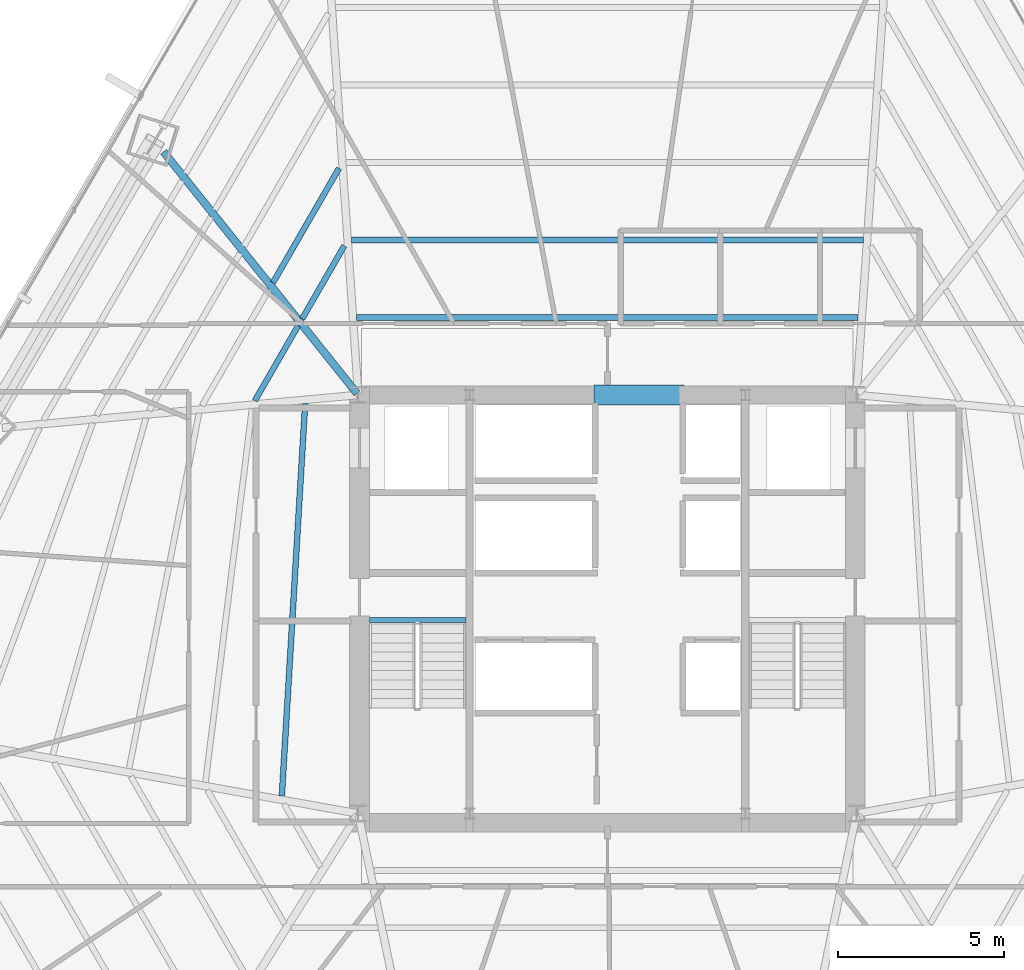
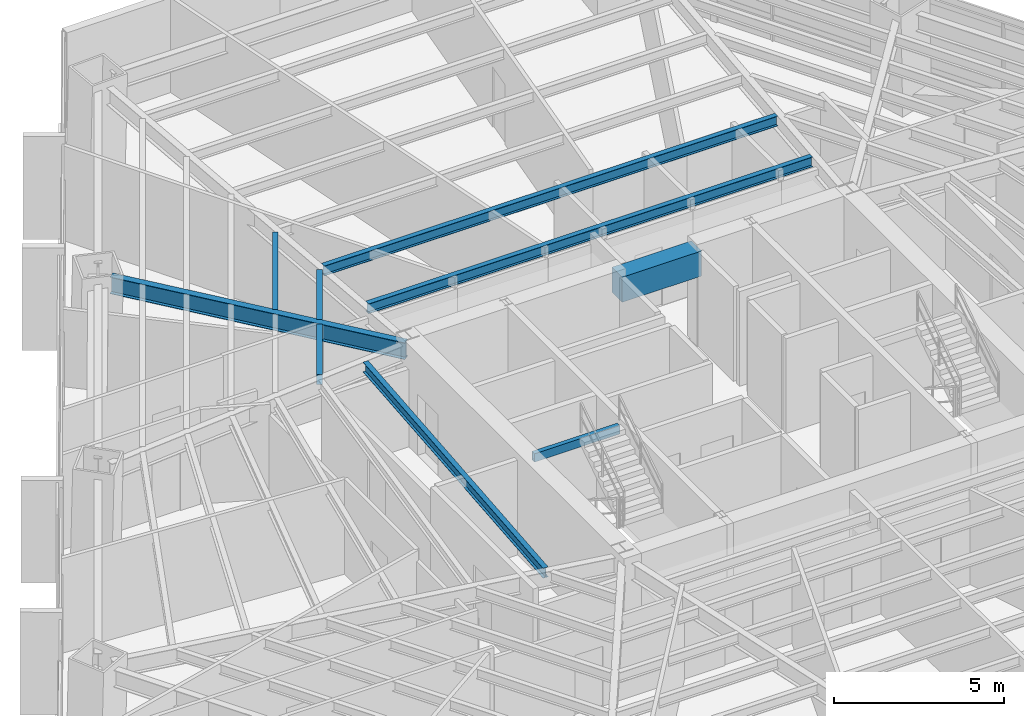
# One storey, part 14 of 35: 9 beams.
"""IFC4 building model written with IfcOpenShell, lengths in metres."""

from ifc_helpers import new_model, si_unit, direction, frame, origin, origin_2d, place, context, subcontext, project, spatial, rectangle, hollow_rectangle, i_section, extrude, source, transform, mapped, material, material_profile, profile_set, type_object, type_shapes, element, save


model = new_model("IFC4")

# Units and contexts
model_context = context("Model", 3, precision=1e-05, world=origin(), true_north=direction((0.0, 1.0)))
body_context = subcontext(model_context, "Body", "Model", "MODEL_VIEW")
ifc_project = project(units=[si_unit("LENGTHUNIT", "METRE"), si_unit("AREAUNIT", "SQUARE_METRE"), si_unit("VOLUMEUNIT", "CUBIC_METRE"), si_unit("PLANEANGLEUNIT", "RADIAN"), si_unit("MASSUNIT", "GRAM", prefix="KILO")], contexts=[model_context])

# Site, building, storey
site_placement = place(None, origin())
site = spatial("IfcSite", under=ifc_project, at=site_placement, CompositionType="ELEMENT")
building_placement = place(site_placement, origin())
building = spatial("IfcBuilding", under=site, at=building_placement, Name="Caelisora Broadcast Tower", CompositionType="ELEMENT")
storey_placement = place(building_placement, frame((0.0, 0.0, 53.14990234375)))
storey = spatial("IfcBuildingStorey", under=building, at=storey_placement, Name="L13", CompositionType="ELEMENT", Elevation=53.14990234375)

# Beams
ifc_material_1 = material(Name="Steel Grade 350 (AS/NZS 1163 C350L0)", Category="steel")
ifc_material_profile_1 = material_profile(ifc_material_1, hollow_rectangle(XDim=0.14990234375, YDim=0.300048828125, WallThickness=0.010009765625, at=origin_2d()), Name="Steel Grade 350 (AS/NZS 1163 C350L0)")
ifc_profile_set_1 = profile_set([ifc_material_profile_1], Name="Steel Grade 350 (AS/NZS 1163 C350L0)")
beam_type_1 = type_object("IfcBeamType", Name="SB05", PredefinedType="JOIST", material=ifc_profile_set_1)
shared_shape_1 = source(origin(), body_context, "Body", "SweptSolid", [
    extrude(hollow_rectangle(XDim=0.14990234375, YDim=0.300048828125, WallThickness=0.010009765625, at=origin_2d()), origin(), (0.0, 0.0, 1.0), 2.89990234375),
])
type_shapes(beam_type_1, [shared_shape_1])
beam_1_placement = place(storey_placement, frame((30.840087890625, 23.219970703125, 3.25), z_axis=(1.0, 0.0, 0.0), x_axis=(0.0, 1.0, 0.0)))
element("IfcBeam", 1, at=beam_1_placement, inside=storey, type_object=beam_type_1, Name="L13 beam SB05", PredefinedType="JOIST", context=body_context, shape_type="MappedRepresentation", body=[
    mapped(shared_shape_1, transform((0.0, 0.0, 0.0), scale=1.0)),
])
ifc_material_2 = material(Name="Concrete 50 MPa (AS 3600 S50)", Category="concrete")
ifc_material_profile_2 = material_profile(ifc_material_2, rectangle(XDim=0.60009765625, YDim=0.89990234375, at=origin_2d()), Name="Concrete 50 MPa (AS 3600 S50)")
ifc_profile_set_2 = profile_set([ifc_material_profile_2], Name="Concrete 50 MPa (AS 3600 S50)")
beam_type_2 = type_object("IfcBeamType", Name="CB02", PredefinedType="LINTEL", material=ifc_profile_set_2)
shared_shape_2 = source(origin(), body_context, "Body", "SweptSolid", [
    extrude(rectangle(XDim=0.60009765625, YDim=0.89990234375, at=origin_2d()), origin(), (0.0, 0.0, 1.0), 2.699951171875),
])
type_shapes(beam_type_2, [shared_shape_2])
beam_2_placement = place(storey_placement, frame((37.60009765625, 30.0, 2.9501953125), z_axis=(1.0, 0.0, 0.0), x_axis=(0.0, 1.0, 0.0)))
element("IfcBeam", 2, at=beam_2_placement, inside=storey, type_object=beam_type_2, Name="L13 beam CB02", PredefinedType="LINTEL", context=body_context, shape_type="MappedRepresentation", body=[
    mapped(shared_shape_2, transform((0.0, 0.0, 0.0), scale=1.0)),
])
ifc_material_3 = material(Name="Steel Grade 350 (AS/NZS 3679.1)", Category="steel")
ifc_material_profile_3 = material_profile(ifc_material_3, i_section(OverallWidth=0.22802734375, OverallDepth=0.602294921875, WebThickness=0.010498046875, FlangeThickness=0.014892578125, at=origin_2d()), Name="Steel Grade 350 (AS/NZS 3679.1)")
ifc_profile_set_3 = profile_set([ifc_material_profile_3], Name="Steel Grade 350 (AS/NZS 3679.1)")
beam_type_3 = type_object("IfcBeamType", Name="PG04", PredefinedType="BEAM", material=ifc_profile_set_3)
shared_shape_3 = source(origin(), body_context, "Body", "SweptSolid", [
    extrude(i_section(OverallWidth=0.22802734375, OverallDepth=0.602294921875, WebThickness=0.010498046875, FlangeThickness=0.014892578125, at=origin_2d()), origin(), (0.0, 0.0, 1.0), 9.31689453125),
])
type_shapes(beam_type_3, [shared_shape_3])
beam_3_placement = place(storey_placement, frame((30.46240234375, 30.046875, 3.098876953125), z_axis=(-0.624941079232, 0.78067192052, 0.0), x_axis=(-0.78067192052, -0.624941079232, 0.0)))
element("IfcBeam", 3, at=beam_3_placement, inside=storey, type_object=beam_type_3, Name="L13 beam PG04", PredefinedType="BEAM", context=body_context, shape_type="MappedRepresentation", body=[
    mapped(shared_shape_3, transform((0.0, 0.0, 0.0), scale=1.0)),
])
ifc_material_profile_4 = material_profile(ifc_material_3, i_section(OverallWidth=0.172119140625, OverallDepth=0.358642578125, WebThickness=0.008056640625, FlangeThickness=0.012939453125, at=origin_2d()), Name="Steel Grade 350 (AS/NZS 3679.1)")
ifc_profile_set_4 = profile_set([ifc_material_profile_4], Name="Steel Grade 350 (AS/NZS 3679.1)")
beam_type_4 = type_object("IfcBeamType", Name="SB02", PredefinedType="JOIST", material=ifc_profile_set_4)
shared_shape_4 = source(origin(), body_context, "Body", "SweptSolid", [
    extrude(i_section(OverallWidth=0.172119140625, OverallDepth=0.358642578125, WebThickness=0.008056640625, FlangeThickness=0.012939453125, at=origin_2d()), origin(), (0.0, 0.0, 1.0), 15.095703125),
])
beam_4_placement = place(storey_placement, frame((45.5478515625, 32.331787109375, 3.220703125), z_axis=(-1.0, 0.0, 0.0), x_axis=(0.0, -1.0, 0.0)))
element("IfcBeam", 4, at=beam_4_placement, inside=storey, type_object=beam_type_4, Name="L13 beam SB02", PredefinedType="JOIST", context=body_context, shape_type="MappedRepresentation", body=[
    mapped(shared_shape_4, transform((0.0, 0.0, 0.0), scale=1.0)),
])
shared_shape_5 = source(origin(), body_context, "Body", "SweptSolid", [
    extrude(i_section(OverallWidth=0.172119140625, OverallDepth=0.358642578125, WebThickness=0.008056640625, FlangeThickness=0.012939453125, at=origin_2d()), origin(), (0.0, 0.0, 1.0), 15.4140625),
])
beam_5_placement = place(storey_placement, frame((45.70703125, 34.663818359375, 3.220703125), z_axis=(-1.0, 0.0, 0.0), x_axis=(0.0, -1.0, 0.0)))
element("IfcBeam", 5, at=beam_5_placement, inside=storey, type_object=beam_type_4, Name="L13 beam SB02", PredefinedType="JOIST", context=body_context, shape_type="MappedRepresentation", body=[
    mapped(shared_shape_5, transform((0.0, 0.0, 0.0), scale=1.0)),
])
shared_shape_6 = source(origin(), body_context, "Body", "SweptSolid", [
    extrude(i_section(OverallWidth=0.172119140625, OverallDepth=0.358642578125, WebThickness=0.008056640625, FlangeThickness=0.012939453125, at=origin_2d()), origin(), (0.0, 0.0, 1.0), 2.54150390625),
])
beam_6_placement = place(storey_placement, frame((30.0810546875, 34.489501953125, 3.220703125), z_axis=(-0.500013496215, -0.866017611601, 0.0), x_axis=(0.866017611601, -0.500013496215, 0.0)))
element("IfcBeam", 6, at=beam_6_placement, inside=storey, type_object=beam_type_4, Name="L13 beam SB02", PredefinedType="JOIST", context=body_context, shape_type="MappedRepresentation", body=[
    mapped(shared_shape_6, transform((0.0, 0.0, 0.0), scale=1.0)),
])
shared_shape_7 = source(origin(), body_context, "Body", "SweptSolid", [
    extrude(i_section(OverallWidth=0.172119140625, OverallDepth=0.358642578125, WebThickness=0.008056640625, FlangeThickness=0.012939453125, at=origin_2d()), origin(), (0.0, 0.0, 1.0), 3.972412109375),
])
beam_7_placement = place(storey_placement, frame((29.921875, 36.8212890625, 3.220703125), z_axis=(-0.499979596123, -0.866037183648, 0.0), x_axis=(0.866037183648, -0.499979596123, 0.0)))
element("IfcBeam", 7, at=beam_7_placement, inside=storey, type_object=beam_type_4, Name="L13 beam SB02", PredefinedType="JOIST", context=body_context, shape_type="MappedRepresentation", body=[
    mapped(shared_shape_7, transform((0.0, 0.0, 0.0), scale=1.0)),
])
shared_shape_8 = source(origin(), body_context, "Body", "SweptSolid", [
    extrude(i_section(OverallWidth=0.172119140625, OverallDepth=0.358642578125, WebThickness=0.008056640625, FlangeThickness=0.012939453125, at=origin_2d()), origin(), (0.0, 0.0, 1.0), 2.60595703125),
])
beam_8_placement = place(storey_placement, frame((28.69091796875, 32.081787109375, 3.220703125), z_axis=(-0.499998180979, -0.866026453994, 0.0), x_axis=(0.866026453994, -0.499998180979, 0.0)))
element("IfcBeam", 8, at=beam_8_placement, inside=storey, type_object=beam_type_4, Name="L13 beam SB02", PredefinedType="JOIST", context=body_context, shape_type="MappedRepresentation", body=[
    mapped(shared_shape_8, transform((0.0, 0.0, 0.0), scale=1.0)),
])
shared_shape_9 = source(origin(), body_context, "Body", "SweptSolid", [
    extrude(i_section(OverallWidth=0.172119140625, OverallDepth=0.358642578125, WebThickness=0.008056640625, FlangeThickness=0.012939453125, at=origin_2d()), origin(), (0.0, 0.0, 1.0), 11.83642578125),
])
type_shapes(beam_type_4, [shared_shape_4, shared_shape_5, shared_shape_6, shared_shape_7, shared_shape_8, shared_shape_9])
beam_9_placement = place(storey_placement, frame((28.9033203125, 29.7412109375, 3.220703125), z_axis=(-0.059341075928, -0.998237765619, 0.0), x_axis=(0.998237765619, -0.059341075928, 0.0)))
element("IfcBeam", 9, at=beam_9_placement, inside=storey, type_object=beam_type_4, Name="L13 beam SB02", PredefinedType="JOIST", context=body_context, shape_type="MappedRepresentation", body=[
    mapped(shared_shape_9, transform((0.0, 0.0, 0.0), scale=1.0)),
])

save(model, "model.ifc")
